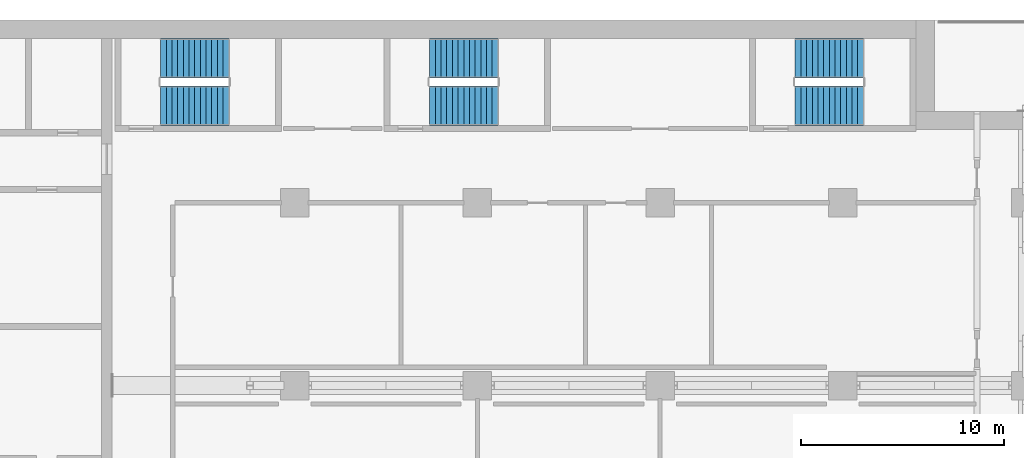
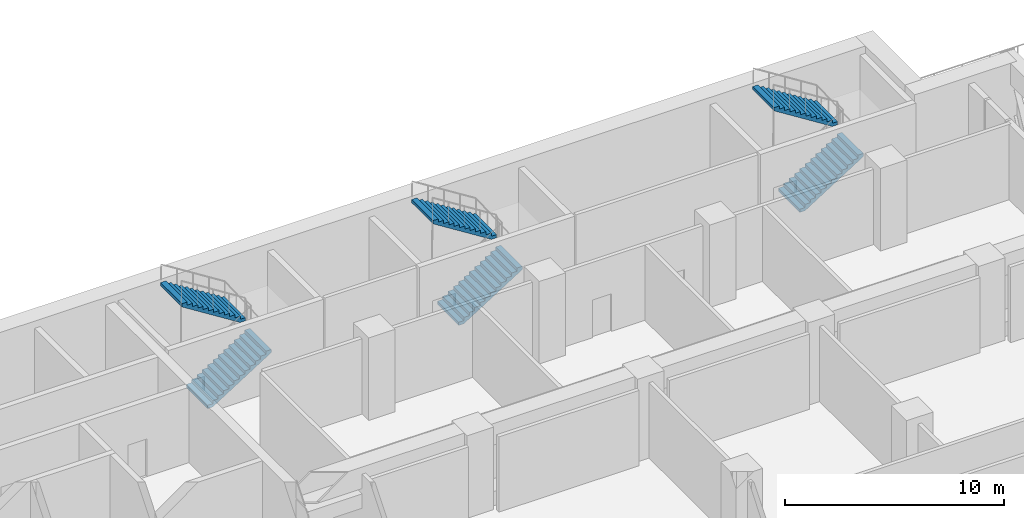
# One storey, part 17 of 24: 6 stair flights, 3 elements without a shape of their own.
"""IFC4 building model written with IfcOpenShell, lengths in metres."""

from ifc_helpers import new_model, si_unit, direction, frame, origin, place, context, subcontext, project, spatial, polyline, outline, extrude, material, type_object, element, aggregate, save


model = new_model("IFC4")

# Units and contexts
model_context = context("Model", 3, precision=1e-05, world=origin(), true_north=direction((0.0, 1.0)))
body_context = subcontext(model_context, "Body", "Model", "MODEL_VIEW")
ifc_project = project(units=[si_unit("LENGTHUNIT", "METRE"), si_unit("AREAUNIT", "SQUARE_METRE"), si_unit("VOLUMEUNIT", "CUBIC_METRE"), si_unit("PLANEANGLEUNIT", "RADIAN"), si_unit("MASSUNIT", "GRAM", prefix="KILO")], contexts=[model_context])

# Site, building, storey
site_placement = place(None, origin())
site = spatial("IfcSite", under=ifc_project, at=site_placement, CompositionType="ELEMENT")
building_placement = place(site_placement, origin())
building = spatial("IfcBuilding", under=site, at=building_placement, Name="Hunhe Ridgeline Campus", CompositionType="ELEMENT")
storey_placement = place(building_placement, frame((0.0, 0.0, 80.199951171875)))
storey = spatial("IfcBuildingStorey", under=building, at=storey_placement, Name="L19", CompositionType="ELEMENT", Elevation=80.199951171875)

# Stair, stair flights
ifc_material = material(Name="Concrete C40", Category="concrete")
stair_type = type_object("IfcStairType", Name="Reinforced concrete dog-leg stair 1950 Concrete C40", PredefinedType="HALF_TURN_STAIR", material=ifc_material)
stair_1_placement = place(storey_placement, origin())
stair_1 = element("IfcStair", 1, at=stair_1_placement, inside=storey, type_object=stair_type, Name="L19 E1", PredefinedType="HALF_TURN_STAIR")
stair_flight_type = type_object("IfcStairFlightType", Name="Reinforced concrete stair flight 1950 Concrete C40", PredefinedType="STRAIGHT", material=ifc_material)
stair_flight_1_placement = place(storey_placement, frame((38.39990234375, 94.77490234375, 0.0), z_axis=(0.0, 0.0, 1.0), x_axis=(1.0, 0.0, 0.0)))
stair_flight_1 = element("IfcStairFlight", 2, at=stair_flight_1_placement, type_object=stair_flight_type, Name="ST5 flight 1", NumberOfRisers=13, NumberOfTreads=12, PredefinedType="STRAIGHT", RiserHeight=0.176923077, TreadLength=0.28, context=body_context, shape_type="SweptSolid", body=[
    extrude(outline(polyline([(0.0, 0.0), (0.0, 0.177001953125), (0.280029296875, 0.177001953125), (0.280029296875, 0.353759765625), (0.56005859375, 0.353759765625), (0.56005859375, 0.53076171875), (0.840087890625, 0.53076171875), (0.840087890625, 0.707763671875), (1.1201171875, 0.707763671875), (1.1201171875, 0.884521484375), (1.39990234375, 0.884521484375), (1.39990234375, 1.0615234375), (1.679931640625, 1.0615234375), (1.679931640625, 1.238525390625), (1.9599609375, 1.238525390625), (1.9599609375, 1.415283203125), (2.239990234375, 1.415283203125), (2.239990234375, 1.59228515625), (2.52001953125, 1.59228515625), (2.52001953125, 1.769287109375), (2.800048828125, 1.769287109375), (2.800048828125, 1.946044921875), (3.080078125, 1.946044921875), (3.080078125, 2.123046875), (3.360107421875, 2.123046875), (3.360107421875, 2.300048828125), (3.360107421875, 1.94580078125), (0.280517578125, 0.0), (0.0, 0.0)])), frame((0.0, 0.97509765625, 0.0), z_axis=(0.0, -1.0, 0.0), x_axis=(1.0, 0.0, 0.0)), (0.0, 0.0, 1.0), 1.949951171875),
    extrude(outline(polyline([(0.030029296875, 0.030029296875), (0.030029296875, 0.14697265625), (0.31005859375, 0.14697265625), (0.31005859375, 0.32373046875), (0.590087890625, 0.32373046875), (0.590087890625, 0.500732421875), (0.8701171875, 0.500732421875), (0.8701171875, 0.677734375), (1.14990234375, 0.677734375), (1.14990234375, 0.8544921875), (1.429931640625, 0.8544921875), (1.429931640625, 1.031494140625), (1.7099609375, 1.031494140625), (1.7099609375, 1.20849609375), (1.989990234375, 1.20849609375), (1.989990234375, 1.385498046875), (2.27001953125, 1.385498046875), (2.27001953125, 1.562255859375), (2.550048828125, 1.562255859375), (2.550048828125, 1.7392578125), (2.830078125, 1.7392578125), (2.830078125, 1.916259765625), (3.110107421875, 1.916259765625), (3.110107421875, 2.093017578125), (3.330078125, 2.093017578125), (3.330078125, 1.96240234375), (0.27197265625, 0.030029296875), (0.030029296875, 0.030029296875)])), frame((0.0, -0.070068359375, 0.0), z_axis=(0.0, -1.0, 0.0), x_axis=(1.0, 0.0, 0.0)), (0.0, 0.0, 1.0), 0.019775390625),
    extrude(outline(polyline([(0.030029296875, 0.030029296875), (0.030029296875, 0.14697265625), (0.31005859375, 0.14697265625), (0.31005859375, 0.32373046875), (0.590087890625, 0.32373046875), (0.590087890625, 0.500732421875), (0.8701171875, 0.500732421875), (0.8701171875, 0.677734375), (1.14990234375, 0.677734375), (1.14990234375, 0.8544921875), (1.429931640625, 0.8544921875), (1.429931640625, 1.031494140625), (1.7099609375, 1.031494140625), (1.7099609375, 1.20849609375), (1.989990234375, 1.20849609375), (1.989990234375, 1.385498046875), (2.27001953125, 1.385498046875), (2.27001953125, 1.562255859375), (2.550048828125, 1.562255859375), (2.550048828125, 1.7392578125), (2.830078125, 1.7392578125), (2.830078125, 1.916259765625), (3.110107421875, 1.916259765625), (3.110107421875, 2.093017578125), (3.330078125, 2.093017578125), (3.330078125, 1.96240234375), (0.27197265625, 0.030029296875), (0.030029296875, 0.030029296875)])), frame((0.0, 0.010009765625, 0.0), z_axis=(0.0, -1.0, 0.0), x_axis=(1.0, 0.0, 0.0)), (0.0, 0.0, 1.0), 0.019775390625),
    extrude(outline(polyline([(0.030029296875, 0.030029296875), (0.030029296875, 0.14697265625), (0.31005859375, 0.14697265625), (0.31005859375, 0.32373046875), (0.590087890625, 0.32373046875), (0.590087890625, 0.500732421875), (0.8701171875, 0.500732421875), (0.8701171875, 0.677734375), (1.14990234375, 0.677734375), (1.14990234375, 0.8544921875), (1.429931640625, 0.8544921875), (1.429931640625, 1.031494140625), (1.7099609375, 1.031494140625), (1.7099609375, 1.20849609375), (1.989990234375, 1.20849609375), (1.989990234375, 1.385498046875), (2.27001953125, 1.385498046875), (2.27001953125, 1.562255859375), (2.550048828125, 1.562255859375), (2.550048828125, 1.7392578125), (2.830078125, 1.7392578125), (2.830078125, 1.916259765625), (3.110107421875, 1.916259765625), (3.110107421875, 2.093017578125), (3.330078125, 2.093017578125), (3.330078125, 1.96240234375), (0.27197265625, 0.030029296875), (0.030029296875, 0.030029296875)])), frame((0.0, 0.090087890625, 0.0), z_axis=(0.0, -1.0, 0.0), x_axis=(1.0, 0.0, 0.0)), (0.0, 0.0, 1.0), 0.019775390625),
])
stair_flight_2_placement = place(storey_placement, frame((41.760009765625, 97.125, 2.300048828125), z_axis=(0.0, 0.0, 1.0), x_axis=(-1.0, 0.0, 0.0)))
stair_flight_2 = element("IfcStairFlight", 3, at=stair_flight_2_placement, type_object=stair_flight_type, Name="ST5 flight 2", NumberOfRisers=13, NumberOfTreads=12, PredefinedType="STRAIGHT", RiserHeight=0.176923077, TreadLength=0.28, context=body_context, shape_type="SweptSolid", body=[
    extrude(outline(polyline([(0.0, 0.0), (0.0, 0.177001953125), (0.280029296875, 0.177001953125), (0.280029296875, 0.353759765625), (0.56005859375, 0.353759765625), (0.56005859375, 0.53076171875), (0.840087890625, 0.53076171875), (0.840087890625, 0.707763671875), (1.1201171875, 0.707763671875), (1.1201171875, 0.884521484375), (1.39990234375, 0.884521484375), (1.39990234375, 1.0615234375), (1.679931640625, 1.0615234375), (1.679931640625, 1.238525390625), (1.9599609375, 1.238525390625), (1.9599609375, 1.415283203125), (2.239990234375, 1.415283203125), (2.239990234375, 1.59228515625), (2.52001953125, 1.59228515625), (2.52001953125, 1.769287109375), (2.800048828125, 1.769287109375), (2.800048828125, 1.946044921875), (3.080078125, 1.946044921875), (3.080078125, 2.123046875), (3.360107421875, 2.123046875), (3.360107421875, 2.300048828125), (3.360107421875, 1.94580078125), (0.280517578125, 0.0), (0.0, 0.0)])), frame((0.0, 0.97509765625, 0.0), z_axis=(0.0, -1.0, 0.0), x_axis=(1.0, 0.0, 0.0)), (0.0, 0.0, 1.0), 1.949951171875),
    extrude(outline(polyline([(0.030029296875, 0.030029296875), (0.030029296875, 0.14697265625), (0.31005859375, 0.14697265625), (0.31005859375, 0.32373046875), (0.590087890625, 0.32373046875), (0.590087890625, 0.500732421875), (0.8701171875, 0.500732421875), (0.8701171875, 0.677734375), (1.14990234375, 0.677734375), (1.14990234375, 0.8544921875), (1.429931640625, 0.8544921875), (1.429931640625, 1.031494140625), (1.7099609375, 1.031494140625), (1.7099609375, 1.20849609375), (1.989990234375, 1.20849609375), (1.989990234375, 1.385498046875), (2.27001953125, 1.385498046875), (2.27001953125, 1.562255859375), (2.550048828125, 1.562255859375), (2.550048828125, 1.7392578125), (2.830078125, 1.7392578125), (2.830078125, 1.916259765625), (3.110107421875, 1.916259765625), (3.110107421875, 2.093017578125), (3.330078125, 2.093017578125), (3.330078125, 1.96240234375), (0.27197265625, 0.030029296875), (0.030029296875, 0.030029296875)])), frame((0.0, -0.070068359375, 0.0), z_axis=(0.0, -1.0, 0.0), x_axis=(1.0, 0.0, 0.0)), (0.0, 0.0, 1.0), 0.019775390625),
    extrude(outline(polyline([(0.030029296875, 0.030029296875), (0.030029296875, 0.14697265625), (0.31005859375, 0.14697265625), (0.31005859375, 0.32373046875), (0.590087890625, 0.32373046875), (0.590087890625, 0.500732421875), (0.8701171875, 0.500732421875), (0.8701171875, 0.677734375), (1.14990234375, 0.677734375), (1.14990234375, 0.8544921875), (1.429931640625, 0.8544921875), (1.429931640625, 1.031494140625), (1.7099609375, 1.031494140625), (1.7099609375, 1.20849609375), (1.989990234375, 1.20849609375), (1.989990234375, 1.385498046875), (2.27001953125, 1.385498046875), (2.27001953125, 1.562255859375), (2.550048828125, 1.562255859375), (2.550048828125, 1.7392578125), (2.830078125, 1.7392578125), (2.830078125, 1.916259765625), (3.110107421875, 1.916259765625), (3.110107421875, 2.093017578125), (3.330078125, 2.093017578125), (3.330078125, 1.96240234375), (0.27197265625, 0.030029296875), (0.030029296875, 0.030029296875)])), frame((0.0, 0.010009765625, 0.0), z_axis=(0.0, -1.0, 0.0), x_axis=(1.0, 0.0, 0.0)), (0.0, 0.0, 1.0), 0.019775390625),
    extrude(outline(polyline([(0.030029296875, 0.030029296875), (0.030029296875, 0.14697265625), (0.31005859375, 0.14697265625), (0.31005859375, 0.32373046875), (0.590087890625, 0.32373046875), (0.590087890625, 0.500732421875), (0.8701171875, 0.500732421875), (0.8701171875, 0.677734375), (1.14990234375, 0.677734375), (1.14990234375, 0.8544921875), (1.429931640625, 0.8544921875), (1.429931640625, 1.031494140625), (1.7099609375, 1.031494140625), (1.7099609375, 1.20849609375), (1.989990234375, 1.20849609375), (1.989990234375, 1.385498046875), (2.27001953125, 1.385498046875), (2.27001953125, 1.562255859375), (2.550048828125, 1.562255859375), (2.550048828125, 1.7392578125), (2.830078125, 1.7392578125), (2.830078125, 1.916259765625), (3.110107421875, 1.916259765625), (3.110107421875, 2.093017578125), (3.330078125, 2.093017578125), (3.330078125, 1.96240234375), (0.27197265625, 0.030029296875), (0.030029296875, 0.030029296875)])), frame((0.0, 0.090087890625, 0.0), z_axis=(0.0, -1.0, 0.0), x_axis=(1.0, 0.0, 0.0)), (0.0, 0.0, 1.0), 0.019775390625),
])
aggregate(stair_1, [stair_flight_1, stair_flight_2])

stair_2_placement = place(storey_placement, origin())
stair_2 = element("IfcStair", 4, at=stair_2_placement, inside=storey, type_object=stair_type, Name="L19 E2", PredefinedType="HALF_TURN_STAIR")
stair_flight_3_placement = place(storey_placement, frame((51.64990234375, 94.77490234375, 0.0), z_axis=(0.0, 0.0, 1.0), x_axis=(1.0, 0.0, 0.0)))
stair_flight_3 = element("IfcStairFlight", 5, at=stair_flight_3_placement, type_object=stair_flight_type, Name="ST6 flight 1", NumberOfRisers=13, NumberOfTreads=12, PredefinedType="STRAIGHT", RiserHeight=0.176923077, TreadLength=0.28, context=body_context, shape_type="SweptSolid", body=[
    extrude(outline(polyline([(0.0, 0.0), (0.0, 0.177001953125), (0.280029296875, 0.177001953125), (0.280029296875, 0.353759765625), (0.56005859375, 0.353759765625), (0.56005859375, 0.53076171875), (0.840087890625, 0.53076171875), (0.840087890625, 0.707763671875), (1.1201171875, 0.707763671875), (1.1201171875, 0.884521484375), (1.39990234375, 0.884521484375), (1.39990234375, 1.0615234375), (1.679931640625, 1.0615234375), (1.679931640625, 1.238525390625), (1.9599609375, 1.238525390625), (1.9599609375, 1.415283203125), (2.239990234375, 1.415283203125), (2.239990234375, 1.59228515625), (2.52001953125, 1.59228515625), (2.52001953125, 1.769287109375), (2.800048828125, 1.769287109375), (2.800048828125, 1.946044921875), (3.080078125, 1.946044921875), (3.080078125, 2.123046875), (3.360107421875, 2.123046875), (3.360107421875, 2.300048828125), (3.360107421875, 1.94580078125), (0.280517578125, 0.0), (0.0, 0.0)])), frame((0.0, 0.97509765625, 0.0), z_axis=(0.0, -1.0, 0.0), x_axis=(1.0, 0.0, 0.0)), (0.0, 0.0, 1.0), 1.949951171875),
    extrude(outline(polyline([(0.030029296875, 0.030029296875), (0.030029296875, 0.14697265625), (0.31005859375, 0.14697265625), (0.31005859375, 0.32373046875), (0.590087890625, 0.32373046875), (0.590087890625, 0.500732421875), (0.8701171875, 0.500732421875), (0.8701171875, 0.677734375), (1.14990234375, 0.677734375), (1.14990234375, 0.8544921875), (1.429931640625, 0.8544921875), (1.429931640625, 1.031494140625), (1.7099609375, 1.031494140625), (1.7099609375, 1.20849609375), (1.989990234375, 1.20849609375), (1.989990234375, 1.385498046875), (2.27001953125, 1.385498046875), (2.27001953125, 1.562255859375), (2.550048828125, 1.562255859375), (2.550048828125, 1.7392578125), (2.830078125, 1.7392578125), (2.830078125, 1.916259765625), (3.110107421875, 1.916259765625), (3.110107421875, 2.093017578125), (3.330078125, 2.093017578125), (3.330078125, 1.96240234375), (0.27197265625, 0.030029296875), (0.030029296875, 0.030029296875)])), frame((0.0, -0.070068359375, 0.0), z_axis=(0.0, -1.0, 0.0), x_axis=(1.0, 0.0, 0.0)), (0.0, 0.0, 1.0), 0.019775390625),
    extrude(outline(polyline([(0.030029296875, 0.030029296875), (0.030029296875, 0.14697265625), (0.31005859375, 0.14697265625), (0.31005859375, 0.32373046875), (0.590087890625, 0.32373046875), (0.590087890625, 0.500732421875), (0.8701171875, 0.500732421875), (0.8701171875, 0.677734375), (1.14990234375, 0.677734375), (1.14990234375, 0.8544921875), (1.429931640625, 0.8544921875), (1.429931640625, 1.031494140625), (1.7099609375, 1.031494140625), (1.7099609375, 1.20849609375), (1.989990234375, 1.20849609375), (1.989990234375, 1.385498046875), (2.27001953125, 1.385498046875), (2.27001953125, 1.562255859375), (2.550048828125, 1.562255859375), (2.550048828125, 1.7392578125), (2.830078125, 1.7392578125), (2.830078125, 1.916259765625), (3.110107421875, 1.916259765625), (3.110107421875, 2.093017578125), (3.330078125, 2.093017578125), (3.330078125, 1.96240234375), (0.27197265625, 0.030029296875), (0.030029296875, 0.030029296875)])), frame((0.0, 0.010009765625, 0.0), z_axis=(0.0, -1.0, 0.0), x_axis=(1.0, 0.0, 0.0)), (0.0, 0.0, 1.0), 0.019775390625),
    extrude(outline(polyline([(0.030029296875, 0.030029296875), (0.030029296875, 0.14697265625), (0.31005859375, 0.14697265625), (0.31005859375, 0.32373046875), (0.590087890625, 0.32373046875), (0.590087890625, 0.500732421875), (0.8701171875, 0.500732421875), (0.8701171875, 0.677734375), (1.14990234375, 0.677734375), (1.14990234375, 0.8544921875), (1.429931640625, 0.8544921875), (1.429931640625, 1.031494140625), (1.7099609375, 1.031494140625), (1.7099609375, 1.20849609375), (1.989990234375, 1.20849609375), (1.989990234375, 1.385498046875), (2.27001953125, 1.385498046875), (2.27001953125, 1.562255859375), (2.550048828125, 1.562255859375), (2.550048828125, 1.7392578125), (2.830078125, 1.7392578125), (2.830078125, 1.916259765625), (3.110107421875, 1.916259765625), (3.110107421875, 2.093017578125), (3.330078125, 2.093017578125), (3.330078125, 1.96240234375), (0.27197265625, 0.030029296875), (0.030029296875, 0.030029296875)])), frame((0.0, 0.090087890625, 0.0), z_axis=(0.0, -1.0, 0.0), x_axis=(1.0, 0.0, 0.0)), (0.0, 0.0, 1.0), 0.019775390625),
])
stair_flight_4_placement = place(storey_placement, frame((55.010009765625, 97.125, 2.300048828125), z_axis=(0.0, 0.0, 1.0), x_axis=(-1.0, 0.0, 0.0)))
stair_flight_4 = element("IfcStairFlight", 6, at=stair_flight_4_placement, type_object=stair_flight_type, Name="ST6 flight 2", NumberOfRisers=13, NumberOfTreads=12, PredefinedType="STRAIGHT", RiserHeight=0.176923077, TreadLength=0.28, context=body_context, shape_type="SweptSolid", body=[
    extrude(outline(polyline([(0.0, 0.0), (0.0, 0.177001953125), (0.280029296875, 0.177001953125), (0.280029296875, 0.353759765625), (0.56005859375, 0.353759765625), (0.56005859375, 0.53076171875), (0.840087890625, 0.53076171875), (0.840087890625, 0.707763671875), (1.1201171875, 0.707763671875), (1.1201171875, 0.884521484375), (1.39990234375, 0.884521484375), (1.39990234375, 1.0615234375), (1.679931640625, 1.0615234375), (1.679931640625, 1.238525390625), (1.9599609375, 1.238525390625), (1.9599609375, 1.415283203125), (2.239990234375, 1.415283203125), (2.239990234375, 1.59228515625), (2.52001953125, 1.59228515625), (2.52001953125, 1.769287109375), (2.800048828125, 1.769287109375), (2.800048828125, 1.946044921875), (3.080078125, 1.946044921875), (3.080078125, 2.123046875), (3.360107421875, 2.123046875), (3.360107421875, 2.300048828125), (3.360107421875, 1.94580078125), (0.280517578125, 0.0), (0.0, 0.0)])), frame((0.0, 0.97509765625, 0.0), z_axis=(0.0, -1.0, 0.0), x_axis=(1.0, 0.0, 0.0)), (0.0, 0.0, 1.0), 1.949951171875),
    extrude(outline(polyline([(0.030029296875, 0.030029296875), (0.030029296875, 0.14697265625), (0.31005859375, 0.14697265625), (0.31005859375, 0.32373046875), (0.590087890625, 0.32373046875), (0.590087890625, 0.500732421875), (0.8701171875, 0.500732421875), (0.8701171875, 0.677734375), (1.14990234375, 0.677734375), (1.14990234375, 0.8544921875), (1.429931640625, 0.8544921875), (1.429931640625, 1.031494140625), (1.7099609375, 1.031494140625), (1.7099609375, 1.20849609375), (1.989990234375, 1.20849609375), (1.989990234375, 1.385498046875), (2.27001953125, 1.385498046875), (2.27001953125, 1.562255859375), (2.550048828125, 1.562255859375), (2.550048828125, 1.7392578125), (2.830078125, 1.7392578125), (2.830078125, 1.916259765625), (3.110107421875, 1.916259765625), (3.110107421875, 2.093017578125), (3.330078125, 2.093017578125), (3.330078125, 1.96240234375), (0.27197265625, 0.030029296875), (0.030029296875, 0.030029296875)])), frame((0.0, -0.070068359375, 0.0), z_axis=(0.0, -1.0, 0.0), x_axis=(1.0, 0.0, 0.0)), (0.0, 0.0, 1.0), 0.019775390625),
    extrude(outline(polyline([(0.030029296875, 0.030029296875), (0.030029296875, 0.14697265625), (0.31005859375, 0.14697265625), (0.31005859375, 0.32373046875), (0.590087890625, 0.32373046875), (0.590087890625, 0.500732421875), (0.8701171875, 0.500732421875), (0.8701171875, 0.677734375), (1.14990234375, 0.677734375), (1.14990234375, 0.8544921875), (1.429931640625, 0.8544921875), (1.429931640625, 1.031494140625), (1.7099609375, 1.031494140625), (1.7099609375, 1.20849609375), (1.989990234375, 1.20849609375), (1.989990234375, 1.385498046875), (2.27001953125, 1.385498046875), (2.27001953125, 1.562255859375), (2.550048828125, 1.562255859375), (2.550048828125, 1.7392578125), (2.830078125, 1.7392578125), (2.830078125, 1.916259765625), (3.110107421875, 1.916259765625), (3.110107421875, 2.093017578125), (3.330078125, 2.093017578125), (3.330078125, 1.96240234375), (0.27197265625, 0.030029296875), (0.030029296875, 0.030029296875)])), frame((0.0, 0.010009765625, 0.0), z_axis=(0.0, -1.0, 0.0), x_axis=(1.0, 0.0, 0.0)), (0.0, 0.0, 1.0), 0.019775390625),
    extrude(outline(polyline([(0.030029296875, 0.030029296875), (0.030029296875, 0.14697265625), (0.31005859375, 0.14697265625), (0.31005859375, 0.32373046875), (0.590087890625, 0.32373046875), (0.590087890625, 0.500732421875), (0.8701171875, 0.500732421875), (0.8701171875, 0.677734375), (1.14990234375, 0.677734375), (1.14990234375, 0.8544921875), (1.429931640625, 0.8544921875), (1.429931640625, 1.031494140625), (1.7099609375, 1.031494140625), (1.7099609375, 1.20849609375), (1.989990234375, 1.20849609375), (1.989990234375, 1.385498046875), (2.27001953125, 1.385498046875), (2.27001953125, 1.562255859375), (2.550048828125, 1.562255859375), (2.550048828125, 1.7392578125), (2.830078125, 1.7392578125), (2.830078125, 1.916259765625), (3.110107421875, 1.916259765625), (3.110107421875, 2.093017578125), (3.330078125, 2.093017578125), (3.330078125, 1.96240234375), (0.27197265625, 0.030029296875), (0.030029296875, 0.030029296875)])), frame((0.0, 0.090087890625, 0.0), z_axis=(0.0, -1.0, 0.0), x_axis=(1.0, 0.0, 0.0)), (0.0, 0.0, 1.0), 0.019775390625),
])
aggregate(stair_2, [stair_flight_3, stair_flight_4])

stair_3_placement = place(storey_placement, origin())
stair_3 = element("IfcStair", 7, at=stair_3_placement, inside=storey, type_object=stair_type, Name="L19 E3", PredefinedType="HALF_TURN_STAIR")
stair_flight_5_placement = place(storey_placement, frame((69.64990234375, 94.77490234375, 0.0), z_axis=(0.0, 0.0, 1.0), x_axis=(1.0, 0.0, 0.0)))
stair_flight_5 = element("IfcStairFlight", 8, at=stair_flight_5_placement, type_object=stair_flight_type, Name="ST7 flight 1", NumberOfRisers=13, NumberOfTreads=12, PredefinedType="STRAIGHT", RiserHeight=0.176923077, TreadLength=0.28, context=body_context, shape_type="SweptSolid", body=[
    extrude(outline(polyline([(0.0, 0.0), (0.0, 0.177001953125), (0.280029296875, 0.177001953125), (0.280029296875, 0.353759765625), (0.56005859375, 0.353759765625), (0.56005859375, 0.53076171875), (0.840087890625, 0.53076171875), (0.840087890625, 0.707763671875), (1.1201171875, 0.707763671875), (1.1201171875, 0.884521484375), (1.39990234375, 0.884521484375), (1.39990234375, 1.0615234375), (1.679931640625, 1.0615234375), (1.679931640625, 1.238525390625), (1.9599609375, 1.238525390625), (1.9599609375, 1.415283203125), (2.239990234375, 1.415283203125), (2.239990234375, 1.59228515625), (2.52001953125, 1.59228515625), (2.52001953125, 1.769287109375), (2.800048828125, 1.769287109375), (2.800048828125, 1.946044921875), (3.080078125, 1.946044921875), (3.080078125, 2.123046875), (3.360107421875, 2.123046875), (3.360107421875, 2.300048828125), (3.360107421875, 1.94580078125), (0.280517578125, 0.0), (0.0, 0.0)])), frame((0.0, 0.97509765625, 0.0), z_axis=(0.0, -1.0, 0.0), x_axis=(1.0, 0.0, 0.0)), (0.0, 0.0, 1.0), 1.949951171875),
    extrude(outline(polyline([(0.030029296875, 0.030029296875), (0.030029296875, 0.14697265625), (0.31005859375, 0.14697265625), (0.31005859375, 0.32373046875), (0.590087890625, 0.32373046875), (0.590087890625, 0.500732421875), (0.8701171875, 0.500732421875), (0.8701171875, 0.677734375), (1.14990234375, 0.677734375), (1.14990234375, 0.8544921875), (1.429931640625, 0.8544921875), (1.429931640625, 1.031494140625), (1.7099609375, 1.031494140625), (1.7099609375, 1.20849609375), (1.989990234375, 1.20849609375), (1.989990234375, 1.385498046875), (2.27001953125, 1.385498046875), (2.27001953125, 1.562255859375), (2.550048828125, 1.562255859375), (2.550048828125, 1.7392578125), (2.830078125, 1.7392578125), (2.830078125, 1.916259765625), (3.110107421875, 1.916259765625), (3.110107421875, 2.093017578125), (3.330078125, 2.093017578125), (3.330078125, 1.96240234375), (0.27197265625, 0.030029296875), (0.030029296875, 0.030029296875)])), frame((0.0, -0.070068359375, 0.0), z_axis=(0.0, -1.0, 0.0), x_axis=(1.0, 0.0, 0.0)), (0.0, 0.0, 1.0), 0.019775390625),
    extrude(outline(polyline([(0.030029296875, 0.030029296875), (0.030029296875, 0.14697265625), (0.31005859375, 0.14697265625), (0.31005859375, 0.32373046875), (0.590087890625, 0.32373046875), (0.590087890625, 0.500732421875), (0.8701171875, 0.500732421875), (0.8701171875, 0.677734375), (1.14990234375, 0.677734375), (1.14990234375, 0.8544921875), (1.429931640625, 0.8544921875), (1.429931640625, 1.031494140625), (1.7099609375, 1.031494140625), (1.7099609375, 1.20849609375), (1.989990234375, 1.20849609375), (1.989990234375, 1.385498046875), (2.27001953125, 1.385498046875), (2.27001953125, 1.562255859375), (2.550048828125, 1.562255859375), (2.550048828125, 1.7392578125), (2.830078125, 1.7392578125), (2.830078125, 1.916259765625), (3.110107421875, 1.916259765625), (3.110107421875, 2.093017578125), (3.330078125, 2.093017578125), (3.330078125, 1.96240234375), (0.27197265625, 0.030029296875), (0.030029296875, 0.030029296875)])), frame((0.0, 0.010009765625, 0.0), z_axis=(0.0, -1.0, 0.0), x_axis=(1.0, 0.0, 0.0)), (0.0, 0.0, 1.0), 0.019775390625),
    extrude(outline(polyline([(0.030029296875, 0.030029296875), (0.030029296875, 0.14697265625), (0.31005859375, 0.14697265625), (0.31005859375, 0.32373046875), (0.590087890625, 0.32373046875), (0.590087890625, 0.500732421875), (0.8701171875, 0.500732421875), (0.8701171875, 0.677734375), (1.14990234375, 0.677734375), (1.14990234375, 0.8544921875), (1.429931640625, 0.8544921875), (1.429931640625, 1.031494140625), (1.7099609375, 1.031494140625), (1.7099609375, 1.20849609375), (1.989990234375, 1.20849609375), (1.989990234375, 1.385498046875), (2.27001953125, 1.385498046875), (2.27001953125, 1.562255859375), (2.550048828125, 1.562255859375), (2.550048828125, 1.7392578125), (2.830078125, 1.7392578125), (2.830078125, 1.916259765625), (3.110107421875, 1.916259765625), (3.110107421875, 2.093017578125), (3.330078125, 2.093017578125), (3.330078125, 1.96240234375), (0.27197265625, 0.030029296875), (0.030029296875, 0.030029296875)])), frame((0.0, 0.090087890625, 0.0), z_axis=(0.0, -1.0, 0.0), x_axis=(1.0, 0.0, 0.0)), (0.0, 0.0, 1.0), 0.019775390625),
])
stair_flight_6_placement = place(storey_placement, frame((73.010009765625, 97.125, 2.300048828125), z_axis=(0.0, 0.0, 1.0), x_axis=(-1.0, 0.0, 0.0)))
stair_flight_6 = element("IfcStairFlight", 9, at=stair_flight_6_placement, type_object=stair_flight_type, Name="ST7 flight 2", NumberOfRisers=13, NumberOfTreads=12, PredefinedType="STRAIGHT", RiserHeight=0.176923077, TreadLength=0.28, context=body_context, shape_type="SweptSolid", body=[
    extrude(outline(polyline([(0.0, 0.0), (0.0, 0.177001953125), (0.280029296875, 0.177001953125), (0.280029296875, 0.353759765625), (0.56005859375, 0.353759765625), (0.56005859375, 0.53076171875), (0.840087890625, 0.53076171875), (0.840087890625, 0.707763671875), (1.1201171875, 0.707763671875), (1.1201171875, 0.884521484375), (1.39990234375, 0.884521484375), (1.39990234375, 1.0615234375), (1.679931640625, 1.0615234375), (1.679931640625, 1.238525390625), (1.9599609375, 1.238525390625), (1.9599609375, 1.415283203125), (2.239990234375, 1.415283203125), (2.239990234375, 1.59228515625), (2.52001953125, 1.59228515625), (2.52001953125, 1.769287109375), (2.800048828125, 1.769287109375), (2.800048828125, 1.946044921875), (3.080078125, 1.946044921875), (3.080078125, 2.123046875), (3.360107421875, 2.123046875), (3.360107421875, 2.300048828125), (3.360107421875, 1.94580078125), (0.280517578125, 0.0), (0.0, 0.0)])), frame((0.0, 0.97509765625, 0.0), z_axis=(0.0, -1.0, 0.0), x_axis=(1.0, 0.0, 0.0)), (0.0, 0.0, 1.0), 1.949951171875),
    extrude(outline(polyline([(0.030029296875, 0.030029296875), (0.030029296875, 0.14697265625), (0.31005859375, 0.14697265625), (0.31005859375, 0.32373046875), (0.590087890625, 0.32373046875), (0.590087890625, 0.500732421875), (0.8701171875, 0.500732421875), (0.8701171875, 0.677734375), (1.14990234375, 0.677734375), (1.14990234375, 0.8544921875), (1.429931640625, 0.8544921875), (1.429931640625, 1.031494140625), (1.7099609375, 1.031494140625), (1.7099609375, 1.20849609375), (1.989990234375, 1.20849609375), (1.989990234375, 1.385498046875), (2.27001953125, 1.385498046875), (2.27001953125, 1.562255859375), (2.550048828125, 1.562255859375), (2.550048828125, 1.7392578125), (2.830078125, 1.7392578125), (2.830078125, 1.916259765625), (3.110107421875, 1.916259765625), (3.110107421875, 2.093017578125), (3.330078125, 2.093017578125), (3.330078125, 1.96240234375), (0.27197265625, 0.030029296875), (0.030029296875, 0.030029296875)])), frame((0.0, -0.070068359375, 0.0), z_axis=(0.0, -1.0, 0.0), x_axis=(1.0, 0.0, 0.0)), (0.0, 0.0, 1.0), 0.019775390625),
    extrude(outline(polyline([(0.030029296875, 0.030029296875), (0.030029296875, 0.14697265625), (0.31005859375, 0.14697265625), (0.31005859375, 0.32373046875), (0.590087890625, 0.32373046875), (0.590087890625, 0.500732421875), (0.8701171875, 0.500732421875), (0.8701171875, 0.677734375), (1.14990234375, 0.677734375), (1.14990234375, 0.8544921875), (1.429931640625, 0.8544921875), (1.429931640625, 1.031494140625), (1.7099609375, 1.031494140625), (1.7099609375, 1.20849609375), (1.989990234375, 1.20849609375), (1.989990234375, 1.385498046875), (2.27001953125, 1.385498046875), (2.27001953125, 1.562255859375), (2.550048828125, 1.562255859375), (2.550048828125, 1.7392578125), (2.830078125, 1.7392578125), (2.830078125, 1.916259765625), (3.110107421875, 1.916259765625), (3.110107421875, 2.093017578125), (3.330078125, 2.093017578125), (3.330078125, 1.96240234375), (0.27197265625, 0.030029296875), (0.030029296875, 0.030029296875)])), frame((0.0, 0.010009765625, 0.0), z_axis=(0.0, -1.0, 0.0), x_axis=(1.0, 0.0, 0.0)), (0.0, 0.0, 1.0), 0.019775390625),
    extrude(outline(polyline([(0.030029296875, 0.030029296875), (0.030029296875, 0.14697265625), (0.31005859375, 0.14697265625), (0.31005859375, 0.32373046875), (0.590087890625, 0.32373046875), (0.590087890625, 0.500732421875), (0.8701171875, 0.500732421875), (0.8701171875, 0.677734375), (1.14990234375, 0.677734375), (1.14990234375, 0.8544921875), (1.429931640625, 0.8544921875), (1.429931640625, 1.031494140625), (1.7099609375, 1.031494140625), (1.7099609375, 1.20849609375), (1.989990234375, 1.20849609375), (1.989990234375, 1.385498046875), (2.27001953125, 1.385498046875), (2.27001953125, 1.562255859375), (2.550048828125, 1.562255859375), (2.550048828125, 1.7392578125), (2.830078125, 1.7392578125), (2.830078125, 1.916259765625), (3.110107421875, 1.916259765625), (3.110107421875, 2.093017578125), (3.330078125, 2.093017578125), (3.330078125, 1.96240234375), (0.27197265625, 0.030029296875), (0.030029296875, 0.030029296875)])), frame((0.0, 0.090087890625, 0.0), z_axis=(0.0, -1.0, 0.0), x_axis=(1.0, 0.0, 0.0)), (0.0, 0.0, 1.0), 0.019775390625),
])
aggregate(stair_3, [stair_flight_5, stair_flight_6])

save(model, "model.ifc")
